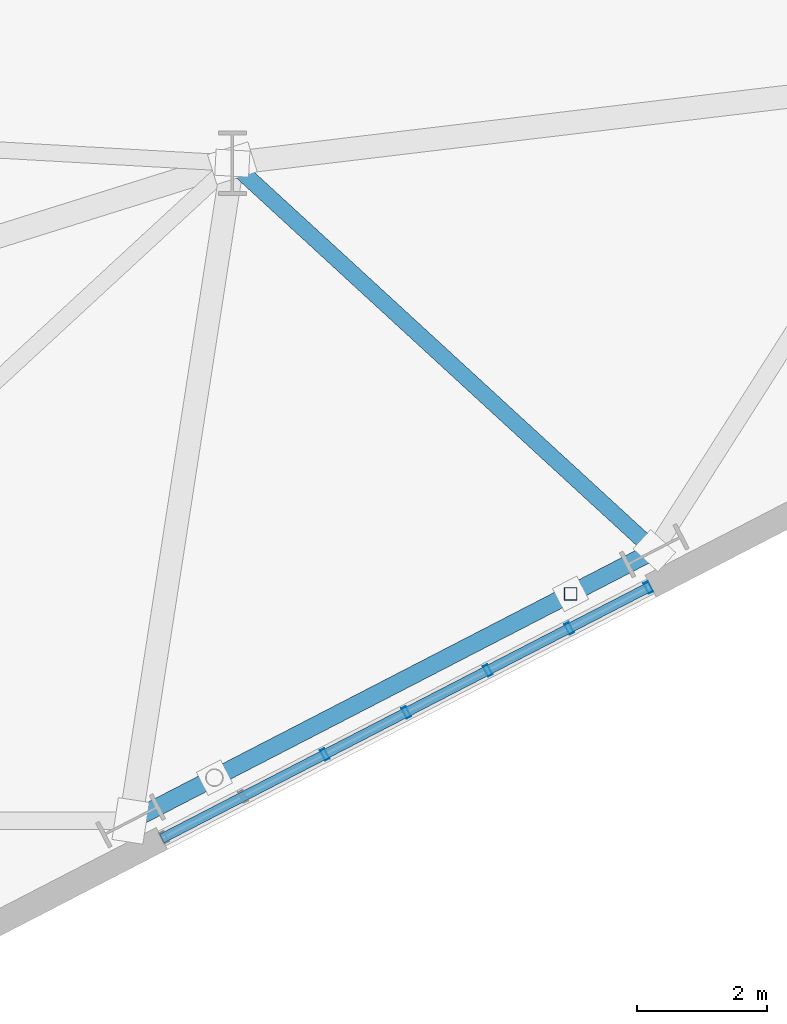
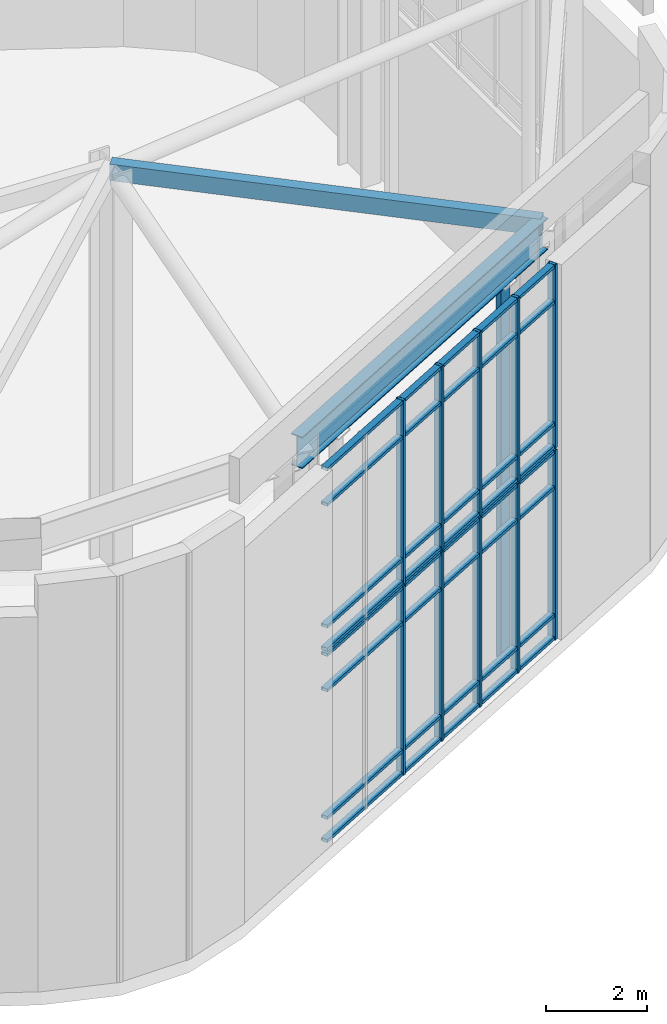
# One storey, part 6 of 23: 20 members, 1 beam, 2 elements without a shape of their own.
"""IFC4 building model written with IfcOpenShell, lengths in metres."""

from ifc_helpers import new_model, si_unit, direction, frame, origin, origin_2d, place, context, subcontext, project, spatial, hollow_rectangle, i_section, extrude, material, layer, layer_set, material_profile, profile_set, type_object, element, aggregate, save


model = new_model("IFC4")

# Units and contexts
model_context = context("Model", 3, precision=1e-05, world=origin(), true_north=direction((0.0, 1.0)))
body_context = subcontext(model_context, "Body", "Model", "MODEL_VIEW")
ifc_project = project(units=[si_unit("LENGTHUNIT", "METRE"), si_unit("AREAUNIT", "SQUARE_METRE"), si_unit("VOLUMEUNIT", "CUBIC_METRE"), si_unit("PLANEANGLEUNIT", "RADIAN"), si_unit("MASSUNIT", "GRAM", prefix="KILO"), si_unit("THERMODYNAMICTEMPERATUREUNIT", "KELVIN"), si_unit("POWERUNIT", "WATT")], contexts=[model_context])

# Site, building, storey
site_placement = place(None, origin())
site = spatial("IfcSite", under=ifc_project, at=site_placement, CompositionType="ELEMENT")
building_placement = place(site_placement, origin())
building = spatial("IfcBuilding", under=site, at=building_placement, Name="Skarre Station Tower", CompositionType="ELEMENT")
storey_placement = place(building_placement, frame((0.0, 0.0, 291.300048828125)))
storey = spatial("IfcBuildingStorey", under=building, at=storey_placement, Name="RF", CompositionType="ELEMENT", Elevation=291.300048828125)

# Curtain wall, members
ifc_material_1 = material(Name="Thermally Broken Bronze-Anodized Aluminium & Triple Low-E Glass", Category="aluminium")
ifc_layer = layer(ifc_material_1, 0.179931640625, Name="Thermally Broken Bronze-Anodized Aluminium & Triple Low-E Glass")
ifc_layer_set = layer_set([ifc_layer], Name="Thermally Broken Bronze-Anodized Aluminium & Triple Low-E Glass")
curtain_wall_type = type_object("IfcCurtainWallType", Name="Nordic Bronze Crown Lantern Stick Curtain Wall", PredefinedType="NOTDEFINED", material=ifc_layer_set)
curtain_wall_1_placement = place(storey_placement, origin())
curtain_wall_1 = element("IfcCurtainWall", 1, at=curtain_wall_1_placement, inside=storey, type_object=curtain_wall_type, Name="RF Crown Lantern Lower Facet 4 Curtain Wall", PredefinedType="NOTDEFINED")
ifc_material_2 = material(Name="Anodized Aluminium 6063-T6", Category="aluminium")
ifc_material_profile_1 = material_profile(ifc_material_2, hollow_rectangle(XDim=0.074951171875, YDim=0.14990234375, WallThickness=0.00390625, at=origin_2d()), Name="Anodized Aluminium 6063-T6")
ifc_profile_set_1 = profile_set([ifc_material_profile_1], Name="Anodized Aluminium 6063-T6")
member_type_1 = type_object("IfcMemberType", Name="Curtain-Wall Secondary Transom 150x75", PredefinedType="USERDEFINED", material=ifc_profile_set_1)
member_1_placement = place(storey_placement, frame((45.87109375, 12.155029296875, 0.0400390625), z_axis=(-0.888646505754, -0.458592834453, 0.0), x_axis=(0.0, 0.0, 1.0)))
member_1 = element("IfcMember", 2, at=member_1_placement, type_object=member_type_1, Name="RF Crown Lantern Lower Facet 4 Curtain Wall Transom 1", ObjectType="TRANSOM", PredefinedType="USERDEFINED", context=body_context, shape_type="SweptSolid", body=[
    extrude(hollow_rectangle(XDim=0.074951171875, YDim=0.14990234375, WallThickness=0.00390625, at=origin_2d()), origin(), (0.0, 0.0, 1.0), 8.443359375),
])
member_2_placement = place(storey_placement, frame((45.87109375, 12.155029296875, 0.599853515625), z_axis=(-0.888646505754, -0.458592834453, 0.0), x_axis=(0.0, 0.0, 1.0)))
member_2 = element("IfcMember", 3, at=member_2_placement, type_object=member_type_1, Name="RF Crown Lantern Lower Facet 4 Curtain Wall Transom 2", ObjectType="TRANSOM", PredefinedType="USERDEFINED", context=body_context, shape_type="SweptSolid", body=[
    extrude(hollow_rectangle(XDim=0.074951171875, YDim=0.14990234375, WallThickness=0.00390625, at=origin_2d()), origin(), (0.0, 0.0, 1.0), 8.443359375),
])
member_3_placement = place(storey_placement, frame((45.87109375, 12.155029296875, 3.699951171875), z_axis=(-0.888646505754, -0.458592834453, 0.0), x_axis=(0.0, 0.0, 1.0)))
member_3 = element("IfcMember", 4, at=member_3_placement, type_object=member_type_1, Name="RF Crown Lantern Lower Facet 4 Curtain Wall Transom 3", ObjectType="TRANSOM", PredefinedType="USERDEFINED", context=body_context, shape_type="SweptSolid", body=[
    extrude(hollow_rectangle(XDim=0.074951171875, YDim=0.14990234375, WallThickness=0.00390625, at=origin_2d()), origin(), (0.0, 0.0, 1.0), 8.443359375),
])
member_4_placement = place(storey_placement, frame((45.87109375, 12.155029296875, 4.56005859375), z_axis=(-0.888646505754, -0.458592834453, 0.0), x_axis=(0.0, 0.0, 1.0)))
member_4 = element("IfcMember", 5, at=member_4_placement, type_object=member_type_1, Name="RF Crown Lantern Lower Facet 4 Curtain Wall Transom 4", ObjectType="TRANSOM", PredefinedType="USERDEFINED", context=body_context, shape_type="SweptSolid", body=[
    extrude(hollow_rectangle(XDim=0.074951171875, YDim=0.14990234375, WallThickness=0.00390625, at=origin_2d()), origin(), (0.0, 0.0, 1.0), 8.443359375),
])

curtain_wall_2_placement = place(storey_placement, origin())
curtain_wall_2 = element("IfcCurtainWall", 6, at=curtain_wall_2_placement, inside=storey, type_object=curtain_wall_type, Name="RF Crown Lantern Upper Facet 4 Curtain Wall", PredefinedType="NOTDEFINED")
member_5_placement = place(storey_placement, frame((45.87109375, 12.155029296875, 4.68994140625), z_axis=(-0.888646505754, -0.458592834453, 0.0), x_axis=(0.0, 0.0, 1.0)))
member_5 = element("IfcMember", 7, at=member_5_placement, type_object=member_type_1, Name="RF Crown Lantern Upper Facet 4 Curtain Wall Transom 1", ObjectType="TRANSOM", PredefinedType="USERDEFINED", context=body_context, shape_type="SweptSolid", body=[
    extrude(hollow_rectangle(XDim=0.074951171875, YDim=0.14990234375, WallThickness=0.00390625, at=origin_2d()), origin(), (0.0, 0.0, 1.0), 8.443359375),
])
member_6_placement = place(storey_placement, frame((45.87109375, 12.155029296875, 5.25), z_axis=(-0.888646505754, -0.458592834453, 0.0), x_axis=(0.0, 0.0, 1.0)))
member_6 = element("IfcMember", 8, at=member_6_placement, type_object=member_type_1, Name="RF Crown Lantern Upper Facet 4 Curtain Wall Transom 2", ObjectType="TRANSOM", PredefinedType="USERDEFINED", context=body_context, shape_type="SweptSolid", body=[
    extrude(hollow_rectangle(XDim=0.074951171875, YDim=0.14990234375, WallThickness=0.00390625, at=origin_2d()), origin(), (0.0, 0.0, 1.0), 8.443359375),
])
member_7_placement = place(storey_placement, frame((45.87109375, 12.155029296875, 8.2099609375), z_axis=(-0.888646505754, -0.458592834453, 0.0), x_axis=(0.0, 0.0, 1.0)))
member_7 = element("IfcMember", 9, at=member_7_placement, type_object=member_type_1, Name="RF Crown Lantern Upper Facet 4 Curtain Wall Transom 3", ObjectType="TRANSOM", PredefinedType="USERDEFINED", context=body_context, shape_type="SweptSolid", body=[
    extrude(hollow_rectangle(XDim=0.074951171875, YDim=0.14990234375, WallThickness=0.00390625, at=origin_2d()), origin(), (0.0, 0.0, 1.0), 8.443359375),
])
member_8_placement = place(storey_placement, frame((45.87109375, 12.155029296875, 9.070068359375), z_axis=(-0.888646505754, -0.458592834453, 0.0), x_axis=(0.0, 0.0, 1.0)))
member_8 = element("IfcMember", 10, at=member_8_placement, type_object=member_type_1, Name="RF Crown Lantern Upper Facet 4 Curtain Wall Transom 4", ObjectType="TRANSOM", PredefinedType="USERDEFINED", context=body_context, shape_type="SweptSolid", body=[
    extrude(hollow_rectangle(XDim=0.074951171875, YDim=0.14990234375, WallThickness=0.00390625, at=origin_2d()), origin(), (0.0, 0.0, 1.0), 8.443359375),
])

# Member
ifc_material_profile_2 = material_profile(ifc_material_2, hollow_rectangle(XDim=0.074951171875, YDim=0.179931640625, WallThickness=0.00390625, at=origin_2d()), Name="Anodized Aluminium 6063-T6")
ifc_profile_set_2 = profile_set([ifc_material_profile_2], Name="Anodized Aluminium 6063-T6")
member_type_2 = type_object("IfcMemberType", Name="Curtain-Wall Unitised Tower Mullion 180x75", PredefinedType="MULLION", material=ifc_profile_set_2)
member_9_placement = place(storey_placement, frame((45.8349609375, 12.136962890625, 0.0), z_axis=(0.0, 0.0, 1.0), x_axis=(-0.888649250269, -0.458587516181, 0.0)))
member_9 = element("IfcMember", 11, at=member_9_placement, type_object=member_type_2, Name="RF Crown Lantern Lower Facet 4 Curtain Wall Mullion 1", PredefinedType="MULLION", context=body_context, shape_type="SweptSolid", body=[
    extrude(hollow_rectangle(XDim=0.074951171875, YDim=0.179931640625, WallThickness=0.00390625, at=origin_2d()), origin(), (0.0, 0.0, 1.0), 4.599853515625),
])

member_10_placement = place(storey_placement, frame((44.6201171875, 11.510009765625, 0.0), z_axis=(0.0, 0.0, 1.0), x_axis=(-0.888649250269, -0.458587516181, 0.0)))
member_10 = element("IfcMember", 12, at=member_10_placement, type_object=member_type_2, Name="RF Crown Lantern Lower Facet 4 Curtain Wall Mullion 2", PredefinedType="MULLION", context=body_context, shape_type="SweptSolid", body=[
    extrude(hollow_rectangle(XDim=0.074951171875, YDim=0.179931640625, WallThickness=0.00390625, at=origin_2d()), origin(), (0.0, 0.0, 1.0), 4.599853515625),
])

member_11_placement = place(storey_placement, frame((43.3701171875, 10.864013671875, 0.0), z_axis=(0.0, 0.0, 1.0), x_axis=(-0.888649250269, -0.458587516181, 0.0)))
member_11 = element("IfcMember", 13, at=member_11_placement, type_object=member_type_2, Name="RF Crown Lantern Lower Facet 4 Curtain Wall Mullion 3", PredefinedType="MULLION", context=body_context, shape_type="SweptSolid", body=[
    extrude(hollow_rectangle(XDim=0.074951171875, YDim=0.179931640625, WallThickness=0.00390625, at=origin_2d()), origin(), (0.0, 0.0, 1.0), 4.599853515625),
])

member_12_placement = place(storey_placement, frame((42.1201171875, 10.218994140625, 0.0), z_axis=(0.0, 0.0, 1.0), x_axis=(-0.888649250269, -0.458587516181, 0.0)))
member_12 = element("IfcMember", 14, at=member_12_placement, type_object=member_type_2, Name="RF Crown Lantern Lower Facet 4 Curtain Wall Mullion 4", PredefinedType="MULLION", context=body_context, shape_type="SweptSolid", body=[
    extrude(hollow_rectangle(XDim=0.074951171875, YDim=0.179931640625, WallThickness=0.00390625, at=origin_2d()), origin(), (0.0, 0.0, 1.0), 4.599853515625),
])

member_13_placement = place(storey_placement, frame((40.868896484375, 9.573974609375, 0.0), z_axis=(0.0, 0.0, 1.0), x_axis=(-0.888649250269, -0.458587516181, 0.0)))
member_13 = element("IfcMember", 15, at=member_13_placement, type_object=member_type_2, Name="RF Crown Lantern Lower Facet 4 Curtain Wall Mullion 5", PredefinedType="MULLION", context=body_context, shape_type="SweptSolid", body=[
    extrude(hollow_rectangle(XDim=0.074951171875, YDim=0.179931640625, WallThickness=0.00390625, at=origin_2d()), origin(), (0.0, 0.0, 1.0), 4.599853515625),
])

aggregate(curtain_wall_1, [member_9, member_10, member_11, member_12, member_13, member_1, member_2, member_3, member_4])

member_14_placement = place(storey_placement, frame((45.8349609375, 12.136962890625, 4.64990234375), z_axis=(0.0, 0.0, 1.0), x_axis=(-0.888649250269, -0.458587516181, 0.0)))
member_14 = element("IfcMember", 16, at=member_14_placement, type_object=member_type_2, Name="RF Crown Lantern Upper Facet 4 Curtain Wall Mullion 1", PredefinedType="MULLION", context=body_context, shape_type="SweptSolid", body=[
    extrude(hollow_rectangle(XDim=0.074951171875, YDim=0.179931640625, WallThickness=0.00390625, at=origin_2d()), origin(), (0.0, 0.0, 1.0), 4.4599609375),
])

member_15_placement = place(storey_placement, frame((44.6201171875, 11.510009765625, 4.64990234375), z_axis=(0.0, 0.0, 1.0), x_axis=(-0.888649250269, -0.458587516181, 0.0)))
member_15 = element("IfcMember", 17, at=member_15_placement, type_object=member_type_2, Name="RF Crown Lantern Upper Facet 4 Curtain Wall Mullion 2", PredefinedType="MULLION", context=body_context, shape_type="SweptSolid", body=[
    extrude(hollow_rectangle(XDim=0.074951171875, YDim=0.179931640625, WallThickness=0.00390625, at=origin_2d()), origin(), (0.0, 0.0, 1.0), 4.4599609375),
])

member_16_placement = place(storey_placement, frame((43.3701171875, 10.864013671875, 4.64990234375), z_axis=(0.0, 0.0, 1.0), x_axis=(-0.888649250269, -0.458587516181, 0.0)))
member_16 = element("IfcMember", 18, at=member_16_placement, type_object=member_type_2, Name="RF Crown Lantern Upper Facet 4 Curtain Wall Mullion 3", PredefinedType="MULLION", context=body_context, shape_type="SweptSolid", body=[
    extrude(hollow_rectangle(XDim=0.074951171875, YDim=0.179931640625, WallThickness=0.00390625, at=origin_2d()), origin(), (0.0, 0.0, 1.0), 4.4599609375),
])

member_17_placement = place(storey_placement, frame((42.1201171875, 10.218994140625, 4.64990234375), z_axis=(0.0, 0.0, 1.0), x_axis=(-0.888649250269, -0.458587516181, 0.0)))
member_17 = element("IfcMember", 19, at=member_17_placement, type_object=member_type_2, Name="RF Crown Lantern Upper Facet 4 Curtain Wall Mullion 4", PredefinedType="MULLION", context=body_context, shape_type="SweptSolid", body=[
    extrude(hollow_rectangle(XDim=0.074951171875, YDim=0.179931640625, WallThickness=0.00390625, at=origin_2d()), origin(), (0.0, 0.0, 1.0), 4.4599609375),
])

member_18_placement = place(storey_placement, frame((40.868896484375, 9.573974609375, 4.64990234375), z_axis=(0.0, 0.0, 1.0), x_axis=(-0.888649250269, -0.458587516181, 0.0)))
member_18 = element("IfcMember", 20, at=member_18_placement, type_object=member_type_2, Name="RF Crown Lantern Upper Facet 4 Curtain Wall Mullion 5", PredefinedType="MULLION", context=body_context, shape_type="SweptSolid", body=[
    extrude(hollow_rectangle(XDim=0.074951171875, YDim=0.179931640625, WallThickness=0.00390625, at=origin_2d()), origin(), (0.0, 0.0, 1.0), 4.4599609375),
])

aggregate(curtain_wall_2, [member_14, member_15, member_16, member_17, member_18, member_5, member_6, member_7, member_8])

# Beam
ifc_material_3 = material(Name="Steel ASTM A992 Grade 50", Category="steel")
ifc_material_profile_3 = material_profile(ifc_material_3, i_section(OverallWidth=0.26806640625, OverallDepth=0.77001953125, WebThickness=0.01611328125, FlangeThickness=0.02490234375, at=origin_2d()), Name="Steel ASTM A992 Grade 50")
ifc_profile_set_3 = profile_set([ifc_material_profile_3], Name="Steel ASTM A992 Grade 50")
beam_type = type_object("IfcBeamType", Name="Steel Beam W30X132", PredefinedType="BEAM", material=ifc_profile_set_3)
beam_placement = place(storey_placement, frame((37.888916015625, 8.552978515625, 9.494873046875), z_axis=(0.888610011727, 0.458663544505, 0.0), x_axis=(-0.458663544505, 0.888610011727, 0.0)))
element("IfcBeam", 21, at=beam_placement, inside=storey, type_object=beam_type, Name="RF Crown Lantern Cap Ring Beam 9", PredefinedType="BEAM", context=body_context, shape_type="SweptSolid", body=[
    extrude(i_section(OverallWidth=0.26806640625, OverallDepth=0.77001953125, WebThickness=0.01611328125, FlangeThickness=0.02490234375, at=origin_2d()), origin(), (0.0, 0.0, 1.0), 9.045654296875),
])

# Members
ifc_material_4 = material(Name="Steel ASTM A500 Grade C", Category="steel")
ifc_material_profile_4 = material_profile(ifc_material_4, hollow_rectangle(XDim=0.25, YDim=0.39990234375, WallThickness=0.01611328125, at=origin_2d()), Name="Steel ASTM A500 Grade C")
ifc_profile_set_4 = profile_set([ifc_material_profile_4], Name="Steel ASTM A500 Grade C")
member_type_3 = type_object("IfcMemberType", Name="Steel Truss Purlin HSS400X250X16", PredefinedType="PURLIN", material=ifc_profile_set_4)
member_19_placement = place(storey_placement, frame((39.449951171875, 18.64990234375, 9.679931640625), z_axis=(0.736547671183, -0.676385635621, 0.0), x_axis=(0.676385635621, 0.736547671183, 0.0)))
element("IfcMember", 22, at=member_19_placement, inside=storey, type_object=member_type_3, Name="RF Crown Lantern Roof Purlin 10", PredefinedType="PURLIN", context=body_context, shape_type="SweptSolid", body=[
    extrude(hollow_rectangle(XDim=0.25, YDim=0.39990234375, WallThickness=0.01611328125, at=origin_2d()), origin(), (0.0, 0.0, 1.0), 8.793701171875),
])
ifc_material_profile_5 = material_profile(ifc_material_4, hollow_rectangle(XDim=0.199951171875, YDim=0.199951171875, WallThickness=0.011962890625, at=origin_2d()), Name="Steel ASTM A500 Grade C")
ifc_profile_set_5 = profile_set([ifc_material_profile_5], Name="Steel ASTM A500 Grade C")
member_type_4 = type_object("IfcMemberType", Name="Steel Truss Strut HSS200X200X12", PredefinedType="STRUT", material=ifc_profile_set_5)
member_20_placement = place(storey_placement, frame((44.64111328125, 12.0380859375, 0.0), z_axis=(0.0, 0.0, 1.0), x_axis=(1.0, 0.0, 0.0)))
element("IfcMember", 23, at=member_20_placement, inside=storey, type_object=member_type_4, Name="RF Crown Pier Post 9B", PredefinedType="STRUT", context=body_context, shape_type="SweptSolid", body=[
    extrude(hollow_rectangle(XDim=0.199951171875, YDim=0.199951171875, WallThickness=0.011962890625, at=origin_2d()), origin(), (0.0, 0.0, 1.0), 9.119873046875),
])

save(model, "model.ifc")
